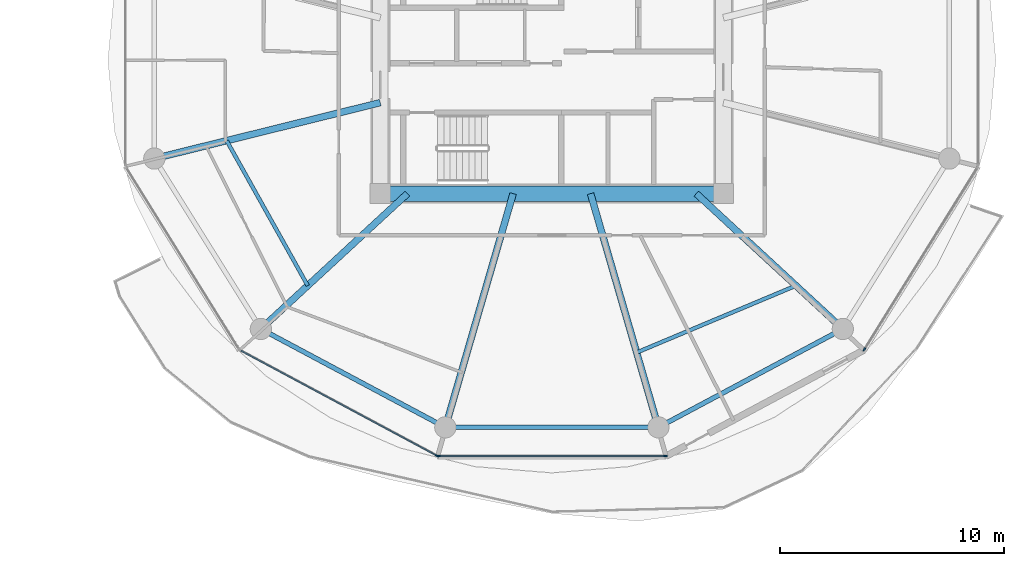
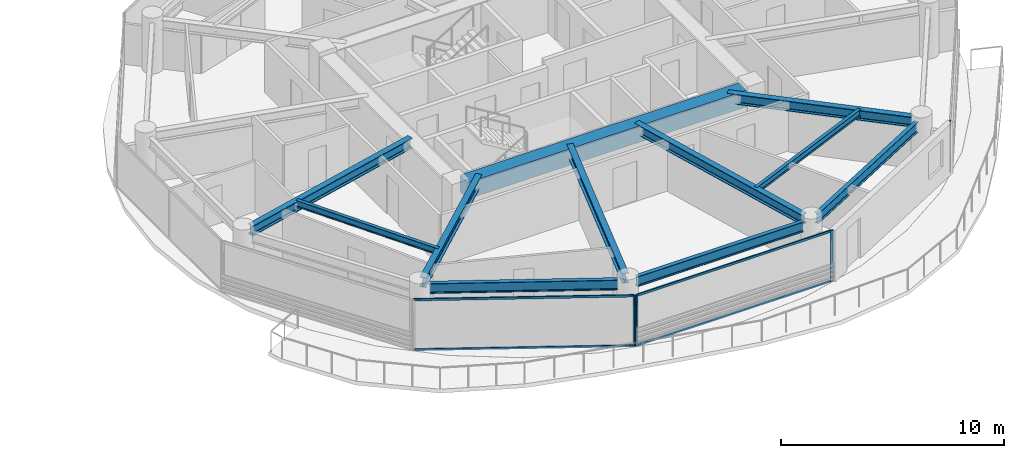
# One storey, part 10 of 26: 11 beams, 8 members, 3 elements without a shape of their own.
"""IFC4 building model written with IfcOpenShell, lengths in metres."""

from ifc_helpers import new_model, si_unit, direction, frame, origin, origin_2d, place, context, subcontext, project, spatial, rectangle, i_section, extrude, source, transform, mapped, material, layer, layer_set, material_profile, profile_set, type_object, type_shapes, element, aggregate, save


model = new_model("IFC4")

# Units and contexts
model_context = context("Model", 3, precision=1e-05, world=origin(), true_north=direction((0.0, 1.0)))
body_context = subcontext(model_context, "Body", "Model", "MODEL_VIEW")
ifc_project = project(units=[si_unit("LENGTHUNIT", "METRE"), si_unit("AREAUNIT", "SQUARE_METRE"), si_unit("VOLUMEUNIT", "CUBIC_METRE"), si_unit("PLANEANGLEUNIT", "RADIAN"), si_unit("MASSUNIT", "GRAM", prefix="KILO")], contexts=[model_context])

# Site, building, storey
site_placement = place(None, origin())
site = spatial("IfcSite", under=ifc_project, at=site_placement, CompositionType="ELEMENT")
building_placement = place(site_placement, origin())
building = spatial("IfcBuilding", under=site, at=building_placement, Name="Norrkilde Senior Care Towers", CompositionType="ELEMENT")
storey_placement = place(building_placement, frame((0.0, 0.0, 24.64990234375)))
storey = spatial("IfcBuildingStorey", under=building, at=storey_placement, Name="L06", CompositionType="ELEMENT", Elevation=24.64990234375)

# Beams
ifc_material_1 = material(Name="Concrete C60/75", Category="concrete")
ifc_material_profile_1 = material_profile(ifc_material_1, rectangle(XDim=0.699951171875, YDim=0.89990234375, at=origin_2d()), Name="RC BM 700x900")
ifc_profile_set_1 = profile_set([ifc_material_profile_1], Name="Concrete C60/75")
beam_type_1 = type_object("IfcBeamType", Name="Core Coupling Girder 700x900", PredefinedType="USERDEFINED", material=ifc_profile_set_1)
shared_shape_1 = source(origin(), body_context, "Body", "SweptSolid", [
    extrude(rectangle(XDim=0.699951171875, YDim=0.89990234375, at=origin_2d()), origin(), (0.0, 0.0, 1.0), 14.43994140625),
])
type_shapes(beam_type_1, [shared_shape_1])
beam_1_placement = place(storey_placement, frame((20.780029296875, -5.949951171875, 2.340087890625), z_axis=(1.0, 0.0, 0.0), x_axis=(0.0, 1.0, 0.0)))
element("IfcBeam", 1, at=beam_1_placement, inside=storey, type_object=beam_type_1, Name="L06 Core E S Coupling Girder", ObjectType="GIRDER", PredefinedType="USERDEFINED", context=body_context, shape_type="MappedRepresentation", body=[
    mapped(shared_shape_1, transform((0.0, 0.0, 0.0), x_axis=(1.0, 0.0, 0.0), y_axis=(0.0, 1.0, 0.0), z_axis=(0.0, 0.0, 1.0), scale=1.0)),
])
ifc_material_2 = material(Name="Steel S355", Category="steel")
ifc_material_profile_2 = material_profile(ifc_material_2, i_section(OverallWidth=0.300048828125, OverallDepth=0.550048828125, WebThickness=0.014892578125, FlangeThickness=0.029052734375, FilletRadius=0.027099609375, at=origin_2d()), Name="HEB 550")
ifc_profile_set_2 = profile_set([ifc_material_profile_2], Name="Steel S355")
beam_type_2 = type_object("IfcBeamType", Name="Radial Floor Beam Z1 HEB550", PredefinedType="BEAM", material=ifc_profile_set_2)
shared_shape_2 = source(origin(), body_context, "Body", "SweptSolid", [
    extrude(i_section(OverallWidth=0.300048828125, OverallDepth=0.550048828125, WebThickness=0.014892578125, FlangeThickness=0.029052734375, FilletRadius=0.027099609375, at=origin_2d()), origin(), (0.0, 0.0, 1.0), 9.94384765625),
])
beam_2_placement = place(storey_placement, frame((20.35009765625, -1.893310546875, 2.51513671875), z_axis=(-0.970707425182, -0.240264634718, 0.0), x_axis=(0.240264634718, -0.970707425182, 0.0)))
element("IfcBeam", 2, at=beam_2_placement, inside=storey, type_object=beam_type_2, Name="L06 Drum E Radial Floor Beam 07", PredefinedType="BEAM", context=body_context, shape_type="MappedRepresentation", body=[
    mapped(shared_shape_2, transform((0.0, 0.0, 0.0), x_axis=(1.0, 0.0, 0.0), y_axis=(0.0, 1.0, 0.0), z_axis=(0.0, 0.0, 1.0), scale=1.0)),
])
ifc_material_profile_3 = material_profile(ifc_material_2, i_section(OverallWidth=0.2099609375, OverallDepth=0.550048828125, WebThickness=0.010986328125, FlangeThickness=0.01708984375, FilletRadius=0.02392578125, at=origin_2d()), Name="IPE 550")
ifc_profile_set_3 = profile_set([ifc_material_profile_3], Name="Steel S355")
beam_type_3 = type_object("IfcBeamType", Name="Perimeter Ring Spandrel Z1 IPE550", PredefinedType="SPANDREL", material=ifc_profile_set_3)
shared_shape_3 = source(origin(), body_context, "Body", "SweptSolid", [
    extrude(i_section(OverallWidth=0.2099609375, OverallDepth=0.550048828125, WebThickness=0.010986328125, FlangeThickness=0.01708984375, FilletRadius=0.02392578125, at=origin_2d()), origin(), (0.0, 0.0, 1.0), 8.452880859375),
])
for number, where, z_axis, x_axis, name in (
    (3, (15.408447265625, -12.190185546875, 2.51513671875), (0.882368931134, -0.470558252898, 0.0), (0.470558252898, 0.882368931134, 0.0), "L06 Drum E Perimeter Spandrel 08"),
    (4, (33.133056640625, -16.167724609375, 2.51513671875), (0.882368931134, 0.470558252898, 0.0), (-0.470558252898, 0.882368931134, 0.0), "L06 Drum E Perimeter Spandrel 10"),
):
    element("IfcBeam", number, at=place(storey_placement, frame(where, z_axis=z_axis, x_axis=x_axis)), inside=storey, type_object=beam_type_3, Name=name, PredefinedType="SPANDREL", context=body_context, shape_type="MappedRepresentation", body=[
        mapped(shared_shape_3, transform((0.0, 0.0, 0.0), x_axis=(1.0, 0.0, 0.0), y_axis=(0.0, 1.0, 0.0), z_axis=(0.0, 0.0, 1.0), scale=1.0)),
    ])
shared_shape_4 = source(origin(), body_context, "Body", "SweptSolid", [
    extrude(i_section(OverallWidth=0.300048828125, OverallDepth=0.550048828125, WebThickness=0.014892578125, FlangeThickness=0.029052734375, FilletRadius=0.027099609375, at=origin_2d()), origin(), (0.0, 0.0, 1.0), 8.459716796875),
])
for number, where, z_axis, x_axis, name in (
    (5, (21.55859375, -5.949951171875, 2.51513671875), (-0.734573269108, -0.678529374686, 0.0), (0.678529374686, -0.734573269108, 0.0), "L06 Drum E Radial Floor Beam 08"),
    (6, (34.44140625, -5.949951171875, 2.51513671875), (0.734573269108, -0.678529374686, 0.0), (0.678529374686, 0.734573269108, 0.0), "L06 Drum E Radial Floor Beam 11"),
):
    element("IfcBeam", number, at=place(storey_placement, frame(where, z_axis=z_axis, x_axis=x_axis)), inside=storey, type_object=beam_type_2, Name=name, PredefinedType="BEAM", context=body_context, shape_type="MappedRepresentation", body=[
        mapped(shared_shape_4, transform((0.0, 0.0, 0.0), x_axis=(1.0, 0.0, 0.0), y_axis=(0.0, 1.0, 0.0), z_axis=(0.0, 0.0, 1.0), scale=1.0)),
    ])
shared_shape_5 = source(origin(), body_context, "Body", "SweptSolid", [
    extrude(i_section(OverallWidth=0.2099609375, OverallDepth=0.550048828125, WebThickness=0.010986328125, FlangeThickness=0.01708984375, FilletRadius=0.02392578125, at=origin_2d()), origin(), (0.0, 0.0, 1.0), 8.62841796875),
])
type_shapes(beam_type_3, [shared_shape_3, shared_shape_5])
beam_3_placement = place(storey_placement, frame((23.685791015625, -16.37255859375, 2.51513671875), z_axis=(1.0, 0.0, 0.0), x_axis=(0.0, 1.0, 0.0)))
element("IfcBeam", 7, at=beam_3_placement, inside=storey, type_object=beam_type_3, Name="L06 Drum E Perimeter Spandrel 09", PredefinedType="SPANDREL", context=body_context, shape_type="MappedRepresentation", body=[
    mapped(shared_shape_5, transform((0.0, 0.0, 0.0), x_axis=(1.0, 0.0, 0.0), y_axis=(0.0, 1.0, 0.0), z_axis=(0.0, 0.0, 1.0), scale=1.0)),
])
shared_shape_6 = source(origin(), body_context, "Body", "SweptSolid", [
    extrude(i_section(OverallWidth=0.300048828125, OverallDepth=0.550048828125, WebThickness=0.014892578125, FlangeThickness=0.029052734375, FilletRadius=0.027099609375, at=origin_2d()), origin(), (0.0, 0.0, 1.0), 10.4169921875),
])
type_shapes(beam_type_2, [shared_shape_2, shared_shape_4, shared_shape_6])
for number, where, z_axis, x_axis, name in (
    (8, (26.27392578125, -5.949951171875, 2.51513671875), (-0.278591250785, -0.960409764104, 0.0), (0.960409764104, -0.278591250785, 0.0), "L06 Drum E Radial Floor Beam 09"),
    (9, (29.72607421875, -5.949951171875, 2.51513671875), (0.278591250785, -0.960409764104, 0.0), (0.960409764104, 0.278591250785, 0.0), "L06 Drum E Radial Floor Beam 10"),
):
    element("IfcBeam", number, at=place(storey_placement, frame(where, z_axis=z_axis, x_axis=x_axis)), inside=storey, type_object=beam_type_2, Name=name, PredefinedType="BEAM", context=body_context, shape_type="MappedRepresentation", body=[
        mapped(shared_shape_6, transform((0.0, 0.0, 0.0), x_axis=(1.0, 0.0, 0.0), y_axis=(0.0, 1.0, 0.0), z_axis=(0.0, 0.0, 1.0), scale=1.0)),
    ])
ifc_material_profile_4 = material_profile(ifc_material_2, i_section(OverallWidth=0.169921875, OverallDepth=0.360107421875, WebThickness=0.008056640625, FlangeThickness=0.0126953125, FilletRadius=0.01806640625, at=origin_2d()), Name="IPE 360")
ifc_profile_set_4 = profile_set([ifc_material_profile_4], Name="Steel S355")
beam_type_4 = type_object("IfcBeamType", Name="Secondary Floor Joist IPE360", PredefinedType="JOIST", material=ifc_profile_set_4)
shared_shape_7 = source(origin(), body_context, "Body", "SweptSolid", [
    extrude(i_section(OverallWidth=0.169921875, OverallDepth=0.360107421875, WebThickness=0.008056640625, FlangeThickness=0.0126953125, FilletRadius=0.01806640625, at=origin_2d()), origin(), (0.0, 0.0, 1.0), 7.703857421875),
])
beam_4_placement = place(storey_placement, frame((31.78173828125, -13.037353515625, 2.610107421875), z_axis=(0.921982784465, 0.387230868023, 0.0), x_axis=(-0.387230868023, 0.921982784465, 0.0)))
element("IfcBeam", 10, at=beam_4_placement, inside=storey, type_object=beam_type_4, Name="L06 Drum E Secondary Floor Joist 4", PredefinedType="JOIST", context=body_context, shape_type="MappedRepresentation", body=[
    mapped(shared_shape_7, transform((0.0, 0.0, 0.0), x_axis=(1.0, 0.0, 0.0), y_axis=(0.0, 1.0, 0.0), z_axis=(0.0, 0.0, 1.0), scale=1.0)),
])
shared_shape_8 = source(origin(), body_context, "Body", "SweptSolid", [
    extrude(i_section(OverallWidth=0.169921875, OverallDepth=0.360107421875, WebThickness=0.008056640625, FlangeThickness=0.0126953125, FilletRadius=0.01806640625, at=origin_2d()), origin(), (0.0, 0.0, 1.0), 7.40771484375),
])
type_shapes(beam_type_4, [shared_shape_7, shared_shape_8])
beam_5_placement = place(storey_placement, frame((13.499267578125, -3.589111328125, 2.610107421875), z_axis=(0.488167754092, -0.872749817453, 0.0), x_axis=(0.872749817453, 0.488167754092, 0.0)))
element("IfcBeam", 11, at=beam_5_placement, inside=storey, type_object=beam_type_4, Name="L06 Drum E Secondary Floor Joist 3", PredefinedType="JOIST", context=body_context, shape_type="MappedRepresentation", body=[
    mapped(shared_shape_8, transform((0.0, 0.0, 0.0), x_axis=(1.0, 0.0, 0.0), y_axis=(0.0, 1.0, 0.0), z_axis=(0.0, 0.0, 1.0), scale=1.0)),
])

# Curtain wall, member
ifc_material_3 = material(Name="Triple Low-E Insulated Glazing", Category="glass")
ifc_layer = layer(ifc_material_3, 0.199951171875)
ifc_layer_set = layer_set([ifc_layer], Name="Triple Low-E Insulated Glazing")
curtain_wall_type = type_object("IfcCurtainWallType", Name="CW2 Zone 1 Memory Care Curtain Wall", PredefinedType="NOTDEFINED", material=ifc_layer_set)
curtain_wall_1_placement = place(storey_placement, origin())
curtain_wall_1 = element("IfcCurtainWall", 12, at=curtain_wall_1_placement, inside=storey, type_object=curtain_wall_type, Name="L06 Drum E Curtain Wall 07", PredefinedType="NOTDEFINED")
ifc_material_4 = material(Name="Anodised Aluminium", Category="aluminium")
ifc_material_profile_5 = material_profile(ifc_material_4, rectangle(XDim=0.06494140625, YDim=0.159912109375, at=origin_2d()), Name="ALU MULL 65x160")
ifc_profile_set_5 = profile_set([ifc_material_profile_5], Name="Anodised Aluminium")
member_type_1 = type_object("IfcMemberType", Name="Curtain Wall Mullion Z1-Z2 65x160", PredefinedType="MULLION", material=ifc_profile_set_5)
shared_shape_9 = source(origin(), body_context, "Body", "SweptSolid", [
    extrude(rectangle(XDim=0.06494140625, YDim=0.159912109375, at=origin_2d()), origin(), (0.0, 0.0, 1.0), 2.7900390625),
])
type_shapes(member_type_1, [shared_shape_9])
member_1_placement = place(storey_placement, frame((22.877685546875, -17.641845703125, 0.0), z_axis=(0.0, 0.0, 1.0), x_axis=(-0.472607802456, -0.881272866403, 0.0)))
member_1 = element("IfcMember", 13, at=member_1_placement, type_object=member_type_1, Name="CW-2 mullion 1", PredefinedType="MULLION", context=body_context, shape_type="MappedRepresentation", body=[
    mapped(shared_shape_9, transform((0.0, 0.0, 0.0), x_axis=(1.0, 0.0, 0.0), y_axis=(0.0, 1.0, 0.0), z_axis=(0.0, 0.0, 1.0), scale=1.0)),
])

# Curtain wall, members
curtain_wall_2_placement = place(storey_placement, origin())
curtain_wall_2 = element("IfcCurtainWall", 14, at=curtain_wall_2_placement, inside=storey, type_object=curtain_wall_type, Name="L06 Drum E Curtain Wall 08", PredefinedType="NOTDEFINED")
member_2_placement = place(storey_placement, frame((33.06103515625, -17.6572265625, 0.0), z_axis=(0.0, 0.0, 1.0), x_axis=(0.0, -1.0, 0.0)))
member_2 = element("IfcMember", 15, at=member_2_placement, type_object=member_type_1, Name="CW-2 mullion 1", PredefinedType="MULLION", context=body_context, shape_type="MappedRepresentation", body=[
    mapped(shared_shape_9, transform((0.0, 0.0, 0.0), x_axis=(1.0, 0.0, 0.0), y_axis=(0.0, 1.0, 0.0), z_axis=(0.0, 0.0, 1.0), scale=1.0)),
])
member_3_placement = place(storey_placement, frame((22.93896484375, -17.6572265625, 0.0), z_axis=(0.0, 0.0, 1.0), x_axis=(0.0, -1.0, 0.0)))
member_3 = element("IfcMember", 16, at=member_3_placement, type_object=member_type_1, Name="CW-2 mullion 2", PredefinedType="MULLION", context=body_context, shape_type="MappedRepresentation", body=[
    mapped(shared_shape_9, transform((0.0, 0.0, 0.0), x_axis=(1.0, 0.0, 0.0), y_axis=(0.0, 1.0, 0.0), z_axis=(0.0, 0.0, 1.0), scale=1.0)),
])

# Curtain wall, member
curtain_wall_3_placement = place(storey_placement, origin())
curtain_wall_3 = element("IfcCurtainWall", 17, at=curtain_wall_3_placement, inside=storey, type_object=curtain_wall_type, Name="L06 Drum E Curtain Wall 10", PredefinedType="NOTDEFINED")
member_4_placement = place(storey_placement, frame((41.93310546875, -12.898193359375, 0.0), z_axis=(0.0, 0.0, 1.0), x_axis=(0.849305943117, -0.527900951871, 0.0)))
member_4 = element("IfcMember", 18, at=member_4_placement, type_object=member_type_1, Name="CW-2 mullion 2", PredefinedType="MULLION", context=body_context, shape_type="MappedRepresentation", body=[
    mapped(shared_shape_9, transform((0.0, 0.0, 0.0), x_axis=(1.0, 0.0, 0.0), y_axis=(0.0, 1.0, 0.0), z_axis=(0.0, 0.0, 1.0), scale=1.0)),
])
aggregate(curtain_wall_3, [member_4])

# Member
ifc_material_profile_6 = material_profile(ifc_material_4, rectangle(XDim=0.06005859375, YDim=0.1201171875, at=origin_2d()), Name="ALU TRAN 60x120")
ifc_profile_set_6 = profile_set([ifc_material_profile_6], Name="Anodised Aluminium")
member_type_2 = type_object("IfcMemberType", Name="Curtain Wall Transom Typical 60x120", PredefinedType="USERDEFINED", material=ifc_profile_set_6)
shared_shape_10 = source(origin(), body_context, "Body", "SweptSolid", [
    extrude(rectangle(XDim=0.06005859375, YDim=0.1201171875, at=origin_2d()), origin(), (0.0, 0.0, 1.0), 9.880859375),
])
member_5_placement = place(storey_placement, frame((22.84912109375, -17.62646484375, 0.030029296875), z_axis=(-0.881267204043, 0.47261836092, 0.0), x_axis=(-0.47261836092, -0.881267204043, 0.0)))
member_5 = element("IfcMember", 19, at=member_5_placement, type_object=member_type_2, Name="CW-2 transom 1.1", ObjectType="TRANSOM", PredefinedType="USERDEFINED", context=body_context, shape_type="MappedRepresentation", body=[
    mapped(shared_shape_10, transform((0.0, 0.0, 0.0), x_axis=(1.0, 0.0, 0.0), y_axis=(0.0, 1.0, 0.0), z_axis=(0.0, 0.0, 1.0), scale=1.0)),
])

member_6_placement = place(storey_placement, frame((22.84912109375, -17.62646484375, 2.760009765625), z_axis=(-0.881267204043, 0.47261836092, 0.0), x_axis=(-0.47261836092, -0.881267204043, 0.0)))
member_6 = element("IfcMember", 20, at=member_6_placement, type_object=member_type_2, Name="CW-2 transom 1.2", ObjectType="TRANSOM", PredefinedType="USERDEFINED", context=body_context, shape_type="MappedRepresentation", body=[
    mapped(shared_shape_10, transform((0.0, 0.0, 0.0), x_axis=(1.0, 0.0, 0.0), y_axis=(0.0, 1.0, 0.0), z_axis=(0.0, 0.0, 1.0), scale=1.0)),
])

aggregate(curtain_wall_1, [member_1, member_5, member_6])

shared_shape_11 = source(origin(), body_context, "Body", "SweptSolid", [
    extrude(rectangle(XDim=0.06005859375, YDim=0.1201171875, at=origin_2d()), origin(), (0.0, 0.0, 1.0), 10.05712890625),
])
type_shapes(member_type_2, [shared_shape_10, shared_shape_11])
member_7_placement = place(storey_placement, frame((33.028564453125, -17.6572265625, 0.030029296875), z_axis=(-1.0, 0.0, 0.0), x_axis=(0.0, -1.0, 0.0)))
member_7 = element("IfcMember", 21, at=member_7_placement, type_object=member_type_2, Name="CW-2 transom 1.1", ObjectType="TRANSOM", PredefinedType="USERDEFINED", context=body_context, shape_type="MappedRepresentation", body=[
    mapped(shared_shape_11, transform((0.0, 0.0, 0.0), x_axis=(1.0, 0.0, 0.0), y_axis=(0.0, 1.0, 0.0), z_axis=(0.0, 0.0, 1.0), scale=1.0)),
])

member_8_placement = place(storey_placement, frame((33.028564453125, -17.6572265625, 2.760009765625), z_axis=(-1.0, 0.0, 0.0), x_axis=(0.0, -1.0, 0.0)))
member_8 = element("IfcMember", 22, at=member_8_placement, type_object=member_type_2, Name="CW-2 transom 1.2", ObjectType="TRANSOM", PredefinedType="USERDEFINED", context=body_context, shape_type="MappedRepresentation", body=[
    mapped(shared_shape_11, transform((0.0, 0.0, 0.0), x_axis=(1.0, 0.0, 0.0), y_axis=(0.0, 1.0, 0.0), z_axis=(0.0, 0.0, 1.0), scale=1.0)),
])

aggregate(curtain_wall_2, [member_2, member_3, member_7, member_8])

save(model, "model.ifc")
